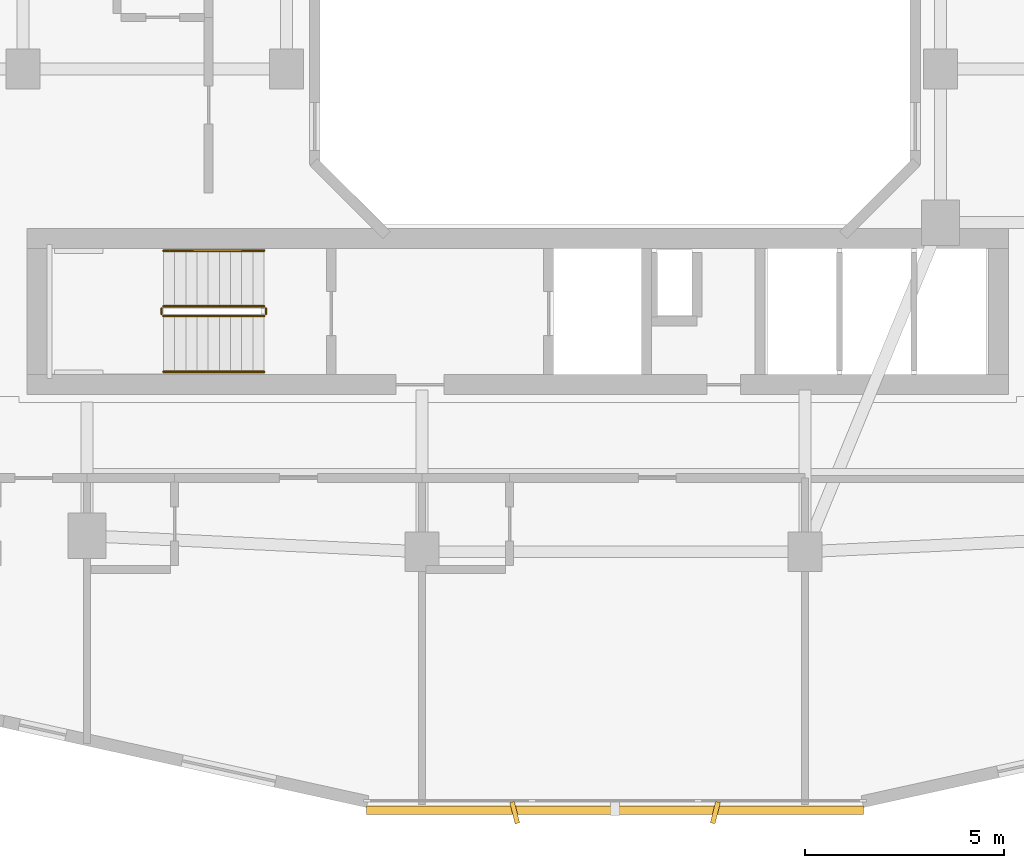
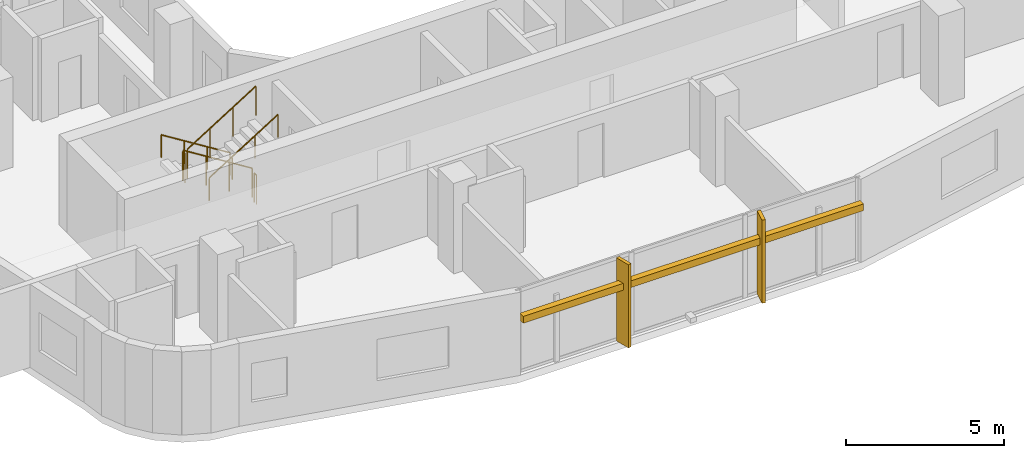
# One storey, part 21 of 25: 6 railings, 3 shading devices.
"""IFC4 building model written with IfcOpenShell, lengths in metres."""

from ifc_helpers import new_model, si_unit, derived_unit, direction, frame, origin, origin_2d, place, context, subcontext, project, spatial, rectangle, circle, extrude, material, type_object, element, save


model = new_model("IFC4")

# Units and contexts
model_context = context("Model", 3, precision=1e-05, world=origin(), true_north=direction((0.0, 1.0)))
body_context = subcontext(model_context, "Body", "Model", "MODEL_VIEW")
ifc_project = project(units=[si_unit("LENGTHUNIT", "METRE"), si_unit("AREAUNIT", "SQUARE_METRE"), si_unit("VOLUMEUNIT", "CUBIC_METRE"), si_unit("PLANEANGLEUNIT", "RADIAN"), si_unit("MASSUNIT", "GRAM", prefix="KILO"), derived_unit("THERMALTRANSMITTANCEUNIT", [(si_unit("POWERUNIT", "WATT"), 1), (si_unit("LENGTHUNIT", "METRE"), -2), (si_unit("THERMODYNAMICTEMPERATUREUNIT", "KELVIN"), -1)])], contexts=[model_context])

# Site, building, storey
site_placement = place(None, origin())
site = spatial("IfcSite", under=ifc_project, at=site_placement, CompositionType="ELEMENT")
building_placement = place(site_placement, origin())
building = spatial("IfcBuilding", under=site, at=building_placement, Name="Kivonza Crest Hotel", CompositionType="ELEMENT")
storey_placement = place(building_placement, frame((0.0, 0.0, 83.5)))
storey = spatial("IfcBuildingStorey", under=building, at=storey_placement, Name="L22", CompositionType="ELEMENT", Elevation=83.5)

# Railings
ifc_material_1 = material(Name="Brushed stainless steel handrail", Category="steel")
railing_type_1 = type_object("IfcRailingType", Name="RL-HAND-900", PredefinedType="HANDRAIL", material=ifc_material_1)
railing_1_placement = place(storey_placement, frame((12.239990234375, 16.949951171875, 0.175048828125)))
element("IfcRailing", 1, at=railing_1_placement, inside=storey, type_object=railing_type_1, Name="L22 ST-T1-S stair handrail 1", PredefinedType="HANDRAIL", context=body_context, shape_type="SweptSolid", body=[
    extrude(circle(Radius=0.02392578125, at=origin_2d()), frame((0.0, 0.0, 0.8759765625), z_axis=(-0.848007534815, 0.0, 0.529984170421), x_axis=(0.0, -1.0, 0.0)), (0.0, 0.0, 1.0), 2.9716796875),
    extrude(circle(Radius=0.02099609375, at=origin_2d()), origin(), (0.0, 0.0, 1.0), 0.851806640625),
    extrude(circle(Radius=0.02099609375, at=origin_2d()), frame((-0.840087890625, 0.0, 0.52490234375)), (0.0, 0.0, 1.0), 0.851806640625),
    extrude(circle(Radius=0.02099609375, at=origin_2d()), frame((-1.679931640625, 0.0, 1.050048828125)), (0.0, 0.0, 1.0), 0.851806640625),
    extrude(circle(Radius=0.02099609375, at=origin_2d()), frame((-2.52001953125, 0.0, 1.574951171875)), (0.0, 0.0, 1.0), 0.851806640625),
])
railing_2_placement = place(storey_placement, frame((9.719970703125, 13.909912109375, 1.925048828125)))
element("IfcRailing", 2, at=railing_2_placement, inside=storey, type_object=railing_type_1, Name="L22 ST-T1-S stair handrail 2", PredefinedType="HANDRAIL", context=body_context, shape_type="SweptSolid", body=[
    extrude(circle(Radius=0.02392578125, at=origin_2d()), frame((0.0, 0.0, 0.8759765625), z_axis=(0.848007534815, 0.0, 0.529984170421), x_axis=(0.0, 1.0, 0.0)), (0.0, 0.0, 1.0), 2.9716796875),
    extrude(circle(Radius=0.02099609375, at=origin_2d()), origin(), (0.0, 0.0, 1.0), 0.851806640625),
    extrude(circle(Radius=0.02099609375, at=origin_2d()), frame((0.840087890625, 0.0, 0.52490234375)), (0.0, 0.0, 1.0), 0.851806640625),
    extrude(circle(Radius=0.02099609375, at=origin_2d()), frame((1.679931640625, 0.0, 1.050048828125)), (0.0, 0.0, 1.0), 0.851806640625),
    extrude(circle(Radius=0.02099609375, at=origin_2d()), frame((2.52001953125, 0.0, 1.574951171875)), (0.0, 0.0, 1.0), 0.851806640625),
])
ifc_material_2 = material(Name="Painted steel balustrade", Category="steel")
railing_type_2 = type_object("IfcRailingType", Name="RL-STAIR-1150", PredefinedType="BALUSTRADE", material=ifc_material_2)
railing_3_placement = place(storey_placement, frame((12.239990234375, 15.550048828125, 0.175048828125)))
element("IfcRailing", 3, at=railing_3_placement, inside=storey, type_object=railing_type_2, Name="L22 ST-T1-S stair guard 1", PredefinedType="BALUSTRADE", context=body_context, shape_type="SweptSolid", body=[
    extrude(circle(Radius=0.02392578125, at=origin_2d()), frame((0.0, 0.0, 1.1259765625), z_axis=(-0.848007534815, 0.0, 0.529984170421), x_axis=(0.0, -1.0, 0.0)), (0.0, 0.0, 1.0), 2.9716796875),
    extrude(circle(Radius=0.02099609375, at=origin_2d()), origin(), (0.0, 0.0, 1.0), 1.101806640625),
    extrude(circle(Radius=0.02099609375, at=origin_2d()), frame((-0.840087890625, 0.0, 0.52490234375)), (0.0, 0.0, 1.0), 1.101806640625),
    extrude(circle(Radius=0.02099609375, at=origin_2d()), frame((-1.679931640625, 0.0, 1.050048828125)), (0.0, 0.0, 1.0), 1.101806640625),
    extrude(circle(Radius=0.02099609375, at=origin_2d()), frame((-2.52001953125, 0.0, 1.574951171875)), (0.0, 0.0, 1.0), 1.101806640625),
])
railing_4_placement = place(storey_placement, frame((9.669921875, 15.5, 1.75)))
element("IfcRailing", 4, at=railing_4_placement, inside=storey, type_object=railing_type_2, Name="L22 ST-T1-S stair guard 2", PredefinedType="BALUSTRADE", context=body_context, shape_type="SweptSolid", body=[
    extrude(circle(Radius=0.02392578125, at=origin_2d()), frame((0.0, 0.0, 1.1259765625), z_axis=(0.0, -1.0, 0.0), x_axis=(1.0, 0.0, 0.0)), (0.0, 0.0, 1.0), 0.139892578125),
    extrude(circle(Radius=0.02099609375, at=origin_2d()), origin(), (0.0, 0.0, 1.0), 1.101806640625),
    extrude(circle(Radius=0.02099609375, at=origin_2d()), frame((0.0, -0.139892578125, 0.0)), (0.0, 0.0, 1.0), 1.101806640625),
])
railing_5_placement = place(storey_placement, frame((9.719970703125, 15.31005859375, 1.925048828125)))
element("IfcRailing", 5, at=railing_5_placement, inside=storey, type_object=railing_type_2, Name="L22 ST-T1-S stair guard 3", PredefinedType="BALUSTRADE", context=body_context, shape_type="SweptSolid", body=[
    extrude(circle(Radius=0.02392578125, at=origin_2d()), frame((0.0, 0.0, 1.1259765625), z_axis=(0.848007534815, 0.0, 0.529984170421), x_axis=(0.0, 1.0, 0.0)), (0.0, 0.0, 1.0), 2.9716796875),
    extrude(circle(Radius=0.02099609375, at=origin_2d()), origin(), (0.0, 0.0, 1.0), 1.101806640625),
    extrude(circle(Radius=0.02099609375, at=origin_2d()), frame((0.840087890625, 0.0, 0.52490234375)), (0.0, 0.0, 1.0), 1.101806640625),
    extrude(circle(Radius=0.02099609375, at=origin_2d()), frame((1.679931640625, 0.0, 1.050048828125)), (0.0, 0.0, 1.0), 1.101806640625),
    extrude(circle(Radius=0.02099609375, at=origin_2d()), frame((2.52001953125, 0.0, 1.574951171875)), (0.0, 0.0, 1.0), 1.101806640625),
])
railing_6_placement = place(storey_placement, frame((12.2900390625, 15.5, 0.0)))
element("IfcRailing", 6, at=railing_6_placement, inside=storey, type_object=railing_type_2, Name="L22 ST-T1-S stair guard 4", PredefinedType="BALUSTRADE", context=body_context, shape_type="SweptSolid", body=[
    extrude(circle(Radius=0.02392578125, at=origin_2d()), frame((0.0, 0.0, 1.1259765625), z_axis=(0.0, -1.0, 0.0), x_axis=(1.0, 0.0, 0.0)), (0.0, 0.0, 1.0), 0.139892578125),
    extrude(circle(Radius=0.02099609375, at=origin_2d()), origin(), (0.0, 0.0, 1.0), 1.101806640625),
    extrude(circle(Radius=0.02099609375, at=origin_2d()), frame((0.0, -0.139892578125, 0.0)), (0.0, 0.0, 1.0), 1.101806640625),
])

# Shading devices
ifc_material_3 = material(Name="Kiln-fired Nairobi red-ochre terracotta", Category="masonry")
shading_device_type_1 = type_object("IfcShadingDeviceType", Name="SH-BAGUETTE-300", PredefinedType="USERDEFINED", material=ifc_material_3)
shading_device_placement = place(storey_placement, frame((21.0400390625, 2.919921875, 2.1240234375), z_axis=(0.0, 0.0, 1.0), x_axis=(1.0, 0.0, 0.0)))
element("IfcShadingDevice", 7, at=shading_device_placement, inside=storey, type_object=shading_device_type_1, Name="L22 terracotta baguette screen CW-T1-L22-08", ObjectType="BAGUETTE", PredefinedType="USERDEFINED", context=body_context, shape_type="SweptSolid", body=[
    extrude(rectangle(XDim=12.4560546875, YDim=0.219970703125, at=origin_2d()), origin(), (0.0, 0.0, 1.0), 0.260009765625),
])
ifc_material_4 = material(Name="Kiln-fired terracotta over extruded aluminium spine", Category="masonry")
shading_device_type_2 = type_object("IfcShadingDeviceType", Name="SH-FIN-550", PredefinedType="USERDEFINED", material=ifc_material_4)
for number, where, z_axis, x_axis, name in (
    (8, (18.52490234375, 2.860107421875, 0.0), (0.0, 0.0, 1.0), (0.970295726276, 0.2419218956, 0.0), "L22 vertical solar shading fin CW-T1-L22-08-1"),
    (9, (23.554931640625, 2.860107421875, 0.0), (0.0, 0.0, 1.0), (0.970295726276, -0.2419218956, 0.0), "L22 vertical solar shading fin CW-T1-L22-08-2"),
):
    element("IfcShadingDevice", number, at=place(storey_placement, frame(where, z_axis=z_axis, x_axis=x_axis)), inside=storey, type_object=shading_device_type_2, Name=name, ObjectType="FIN", PredefinedType="USERDEFINED", context=body_context, shape_type="SweptSolid", body=[
        extrude(rectangle(XDim=0.1201171875, YDim=0.550048828125, at=origin_2d()), origin(), (0.0, 0.0, 1.0), 3.219970703125),
    ])

save(model, "model.ifc")
